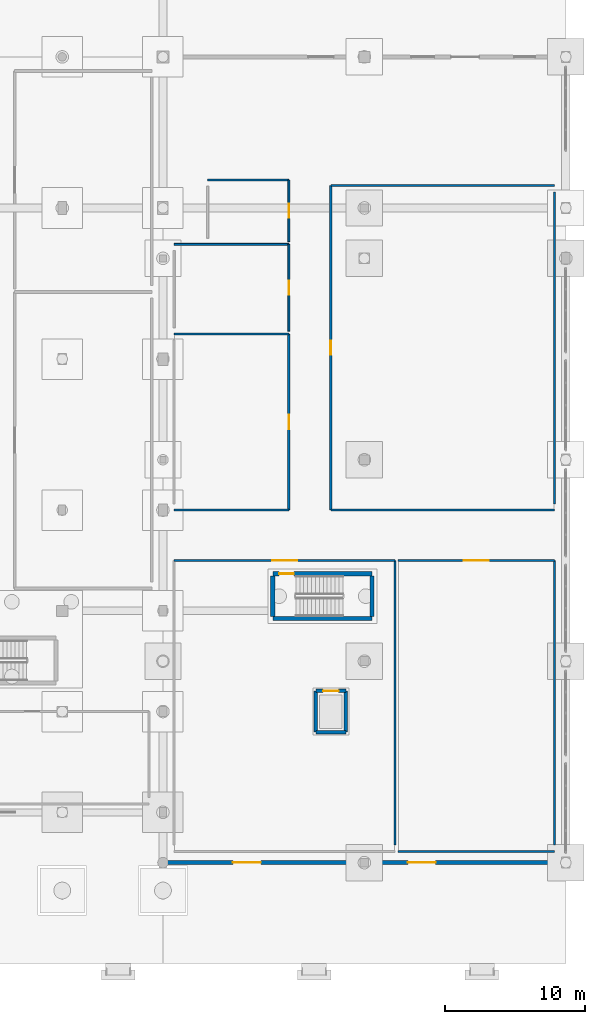
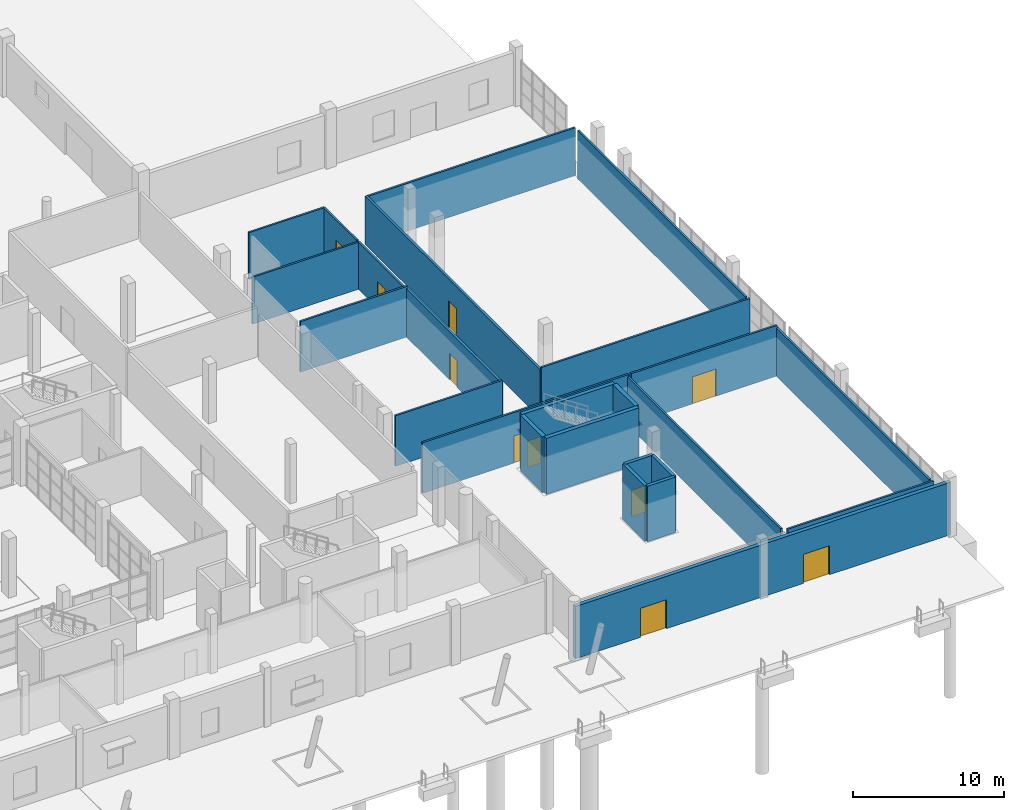
# One storey, part 258 of 285: 25 walls, 10 doors, 10 openings.
"""IFC4 building model written with IfcOpenShell, lengths in metres."""

from ifc_helpers import new_model, si_unit, direction, frame, frame_2d, origin, place, context, subcontext, project, spatial, rectangle, extrude, material, layer, layer_set, type_object, element, fill, save


model = new_model("IFC4")

# Units and contexts
model_context = context("Model", 3, precision=1e-05, world=origin(), true_north=direction((0.0, 1.0)))
body_context = subcontext(model_context, "Body", "Model", "MODEL_VIEW")
ifc_project = project(units=[si_unit("LENGTHUNIT", "METRE"), si_unit("AREAUNIT", "SQUARE_METRE"), si_unit("VOLUMEUNIT", "CUBIC_METRE"), si_unit("PLANEANGLEUNIT", "RADIAN"), si_unit("MASSUNIT", "GRAM", prefix="KILO")], contexts=[model_context])

# Site, building, storey
site_placement = place(None, origin())
site = spatial("IfcSite", under=ifc_project, at=site_placement, CompositionType="ELEMENT")
building_placement = place(site_placement, origin())
building = spatial("IfcBuilding", under=site, at=building_placement, Name="Solanera Park Tramway Depot", CompositionType="ELEMENT")
storey_placement = place(building_placement, origin())
storey = spatial("IfcBuildingStorey", under=building, at=storey_placement, Name="L00", CompositionType="ELEMENT", Elevation=0.0)

# Wall
ifc_material_1 = material(Name="Concrete N32 (C32/40)", Category="concrete")
ifc_layer_1 = layer(ifc_material_1, 0.14990234375)
ifc_layer_set_1 = layer_set([ifc_layer_1], Name="Concrete N32 (C32/40)")
wall_type_1 = type_object("IfcWallType", Name="Acoustic Partition 150", PredefinedType="PARTITIONING", material=ifc_layer_set_1)
wall_1_placement = place(storey_placement, frame((203.800048828125, 8.449951171875, 0.0), z_axis=(0.0, 0.0, 1.0), x_axis=(0.0, 1.0, 0.0)))
element("IfcWall", 1, at=wall_1_placement, inside=storey, type_object=wall_type_1, Name="Civic Parkland Reception and Ticketing Foyer Dividing Wall", PredefinedType="PARTITIONING", context=body_context, shape_type="SweptSolid", body=[
    extrude(rectangle(XDim=20.35009765625, YDim=0.14990234375, at=frame_2d((10.175048828125, 0.0))), origin(), (0.0, 0.0, 1.0), 3.92041015625),
])

# Wall, opening, door
wall_2_placement = place(storey_placement, frame((188.0, 28.800048828125, 0.0), z_axis=(0.0, 0.0, 1.0), x_axis=(1.0, 0.0, 0.0)))
wall_2 = element("IfcWall", 2, at=wall_2_placement, inside=storey, type_object=wall_type_1, Name="Civic Parkland Reception and Ticketing Foyer Corridor Wall", PredefinedType="PARTITIONING", context=body_context, shape_type="SweptSolid", body=[
    extrude(rectangle(XDim=15.800048828125, YDim=0.14990234375, at=frame_2d((7.89990234375, 0.0))), origin(), (0.0, 0.0, 1.0), 4.10009765625),
])
opening_1_placement = place(wall_2_placement, frame((7.0, 0.0, 0.0)))
opening_1 = element("IfcOpeningElement", 3, at=opening_1_placement, cuts=wall_2, Name="Opening ID-A2D", PredefinedType="OPENING", context=body_context, shape_type="SweptSolid", body=[
    extrude(rectangle(XDim=1.800048828125, YDim=2.199951171875, at=frame_2d((0.89990234375, 1.10009765625))), frame((0.0, 0.0849609375, 0.0), z_axis=(0.0, -1.0, 0.0), x_axis=(1.0, 0.0, 0.0)), (0.0, 0.0, 1.0), 0.169921875),
])
ifc_material_2 = material(Name="Fire-rated steel or solid-core hardwood door leaf", Category="steel")
door_type_1 = type_object("IfcDoorType", Name="Assembly Double Door 1800x2200", OperationType="DOUBLE_SWING_RIGHT", PredefinedType="DOOR", material=ifc_material_2)
door_1_placement = place(opening_1_placement, origin())
door_1 = element("IfcDoor", 4, at=door_1_placement, inside=storey, type_object=door_type_1, Name="Civic Parkland Reception and Ticketing Foyer Door", OperationType="DOUBLE_SWING_RIGHT", OverallHeight=2.199951171875, OverallWidth=1.800048828125, PredefinedType="DOOR", context=body_context, shape_type="SweptSolid", body=[
    extrude(rectangle(XDim=1.800048828125, YDim=2.199951171875, at=frame_2d((0.89990234375, 1.10009765625))), frame((0.0, 0.02490234375, 0.0), z_axis=(0.0, -1.0, 0.0), x_axis=(1.0, 0.0, 0.0)), (0.0, 0.0, 1.0), 0.050048828125),
])
fill(opening_1, door_1)

# Walls
wall_3_placement = place(storey_placement, frame((215.199951171875, 8.0, 0.0), z_axis=(0.0, 0.0, 1.0), x_axis=(-1.0, 0.0, 0.0)))
element("IfcWall", 5, at=wall_3_placement, inside=storey, type_object=wall_type_1, Name="Darwin Tramway Heritage Exhibition Hall Dividing Wall", PredefinedType="PARTITIONING", context=body_context, shape_type="SweptSolid", body=[
    extrude(rectangle(XDim=11.199951171875, YDim=0.14990234375, at=frame_2d((5.60009765625, 0.0))), origin(), (0.0, 0.0, 1.0), 4.10009765625),
])
wall_4_placement = place(storey_placement, frame((215.199951171875, 8.449951171875, 0.0), z_axis=(0.0, 0.0, 1.0), x_axis=(0.0, 1.0, 0.0)))
element("IfcWall", 6, at=wall_4_placement, inside=storey, type_object=wall_type_1, Name="Darwin Tramway Heritage Exhibition Hall Dividing Wall", PredefinedType="PARTITIONING", context=body_context, shape_type="SweptSolid", body=[
    extrude(rectangle(XDim=20.35009765625, YDim=0.14990234375, at=frame_2d((10.175048828125, 0.0))), origin(), (0.0, 0.0, 1.0), 3.92041015625),
])

# Wall, opening, door
wall_5_placement = place(storey_placement, frame((204.0, 28.800048828125, 0.0), z_axis=(0.0, 0.0, 1.0), x_axis=(1.0, 0.0, 0.0)))
wall_5 = element("IfcWall", 7, at=wall_5_placement, inside=storey, type_object=wall_type_1, Name="Darwin Tramway Heritage Exhibition Hall Corridor Wall", PredefinedType="PARTITIONING", context=body_context, shape_type="SweptSolid", body=[
    extrude(rectangle(XDim=11.199951171875, YDim=0.14990234375, at=frame_2d((5.60009765625, 0.0))), origin(), (0.0, 0.0, 1.0), 4.10009765625),
])
opening_2_placement = place(wall_5_placement, frame((4.699951171875, 0.0, 0.0)))
opening_2 = element("IfcOpeningElement", 8, at=opening_2_placement, cuts=wall_5, Name="Opening ID-A2D", PredefinedType="OPENING", context=body_context, shape_type="SweptSolid", body=[
    extrude(rectangle(XDim=1.800048828125, YDim=2.199951171875, at=frame_2d((0.89990234375, 1.10009765625))), frame((0.0, 0.0849609375, 0.0), z_axis=(0.0, -1.0, 0.0), x_axis=(1.0, 0.0, 0.0)), (0.0, 0.0, 1.0), 0.169921875),
])
door_2_placement = place(opening_2_placement, origin())
door_2 = element("IfcDoor", 9, at=door_2_placement, inside=storey, type_object=door_type_1, Name="Darwin Tramway Heritage Exhibition Hall Door", OperationType="DOUBLE_SWING_RIGHT", OverallHeight=2.199951171875, OverallWidth=1.800048828125, PredefinedType="DOOR", context=body_context, shape_type="SweptSolid", body=[
    extrude(rectangle(XDim=1.800048828125, YDim=2.199951171875, at=frame_2d((0.89990234375, 1.10009765625))), frame((0.0, 0.02490234375, 0.0), z_axis=(0.0, -1.0, 0.0), x_axis=(1.0, 0.0, 0.0)), (0.0, 0.0, 1.0), 0.050048828125),
])
fill(opening_2, door_2)

# Walls
wall_6_placement = place(storey_placement, frame((199.199951171875, 55.60009765625, 0.0), z_axis=(0.0, 0.0, 1.0), x_axis=(1.0, 0.0, 0.0)))
element("IfcWall", 10, at=wall_6_placement, inside=storey, type_object=wall_type_1, Name="Parkfront Loggia Cafe and Dining Room Dividing Wall", PredefinedType="PARTITIONING", context=body_context, shape_type="SweptSolid", body=[
    extrude(rectangle(XDim=16.0, YDim=0.14990234375, at=frame_2d((8.0, 0.0))), origin(), (0.0, 0.0, 1.0), 3.882080078125),
])
wall_7_placement = place(storey_placement, frame((215.199951171875, 32.39990234375, 0.0), z_axis=(0.0, 0.0, 1.0), x_axis=(-1.0, 0.0, 0.0)))
element("IfcWall", 11, at=wall_7_placement, inside=storey, type_object=wall_type_1, Name="Parkfront Loggia Cafe and Dining Room Dividing Wall", PredefinedType="PARTITIONING", context=body_context, shape_type="SweptSolid", body=[
    extrude(rectangle(XDim=16.0, YDim=0.14990234375, at=frame_2d((8.0, 0.0))), origin(), (0.0, 0.0, 1.0), 4.10009765625),
])
wall_8_placement = place(storey_placement, frame((215.199951171875, 32.85009765625, 0.0), z_axis=(0.0, 0.0, 1.0), x_axis=(0.0, 1.0, 0.0)))
element("IfcWall", 12, at=wall_8_placement, inside=storey, type_object=wall_type_1, Name="Parkfront Loggia Cafe and Dining Room Dividing Wall", PredefinedType="PARTITIONING", context=body_context, shape_type="SweptSolid", body=[
    extrude(rectangle(XDim=22.2998046875, YDim=0.14990234375, at=frame_2d((11.14990234375, 0.0))), origin(), (0.0, 0.0, 1.0), 3.92041015625),
])
for number, where, z_axis, x_axis, name in (
    (13, (188.0, 45.0, 0.0), (0.0, 0.0, 1.0), (1.0, 0.0, 0.0), "Commercial Catering Kitchen and Scullery Dividing Wall"),
    (14, (196.199951171875, 32.39990234375, 0.0), (0.0, 0.0, 1.0), (-1.0, 0.0, 0.0), "Commercial Catering Kitchen and Scullery Dividing Wall"),
):
    element("IfcWall", number, at=place(storey_placement, frame(where, z_axis=z_axis, x_axis=x_axis)), inside=storey, type_object=wall_type_1, Name=name, PredefinedType="PARTITIONING", context=body_context, shape_type="SweptSolid", body=[
        extrude(rectangle(XDim=8.199951171875, YDim=0.14990234375, at=frame_2d((4.10009765625, 0.0))), origin(), (0.0, 0.0, 1.0), 4.10009765625),
    ])

# Wall, opening, door
ifc_material_3 = material(Name="Concrete N32 (C32/40)", Category="concrete")
ifc_layer_2 = layer(ifc_material_3, 0.179931640625)
ifc_layer_set_2 = layer_set([ifc_layer_2], Name="Concrete N32 (C32/40)")
wall_type_2 = type_object("IfcWallType", Name="Cafe Separation Wall 180", PredefinedType="SOLIDWALL", material=ifc_layer_set_2)
wall_9_placement = place(storey_placement, frame((199.199951171875, 55.60009765625, 0.0), z_axis=(0.0, 0.0, 1.0), x_axis=(0.0, -1.0, 0.0)))
wall_9 = element("IfcWall", 15, at=wall_9_placement, inside=storey, type_object=wall_type_2, Name="Parkfront Loggia Cafe and Dining Room Corridor Wall", PredefinedType="SOLIDWALL", context=body_context, shape_type="SweptSolid", body=[
    extrude(rectangle(XDim=23.2001953125, YDim=0.179931640625, at=frame_2d((11.60009765625, 0.0))), origin(), (0.0, 0.0, 1.0), 3.92041015625),
])
opening_3_placement = place(wall_9_placement, frame((11.10009765625, 0.0, 0.0)))
opening_3 = element("IfcOpeningElement", 16, at=opening_3_placement, cuts=wall_9, Name="Opening FD-C1L", PredefinedType="OPENING", context=body_context, shape_type="SweptSolid", body=[
    extrude(rectangle(XDim=1.0, YDim=2.14990234375, at=frame_2d((0.5, 1.074951171875))), frame((0.0, 0.10009765625, 0.0), z_axis=(0.0, -1.0, 0.0), x_axis=(1.0, 0.0, 0.0)), (0.0, 0.0, 1.0), 0.199951171875),
])
ifc_material_4 = material(Name="Fire-rated steel or solid-core hardwood door leaf", Category="steel")
door_type_2 = type_object("IfcDoorType", Name="Compartment Fire Door L 1000x2150", OperationType="SINGLE_SWING_LEFT", PredefinedType="DOOR", material=ifc_material_4)
door_3_placement = place(opening_3_placement, origin())
door_3 = element("IfcDoor", 17, at=door_3_placement, inside=storey, type_object=door_type_2, Name="Parkfront Loggia Cafe and Dining Room Door", OperationType="SINGLE_SWING_LEFT", OverallHeight=2.14990234375, OverallWidth=1.0, PredefinedType="DOOR", context=body_context, shape_type="SweptSolid", body=[
    extrude(rectangle(XDim=1.0, YDim=2.14990234375, at=frame_2d((0.5, 1.074951171875))), frame((0.0, 0.02490234375, 0.0), z_axis=(0.0, -1.0, 0.0), x_axis=(1.0, 0.0, 0.0)), (0.0, 0.0, 1.0), 0.050048828125),
])
fill(opening_3, door_3)

wall_10_placement = place(storey_placement, frame((196.199951171875, 32.39990234375, 0.0), z_axis=(0.0, 0.0, 1.0), x_axis=(0.0, 1.0, 0.0)))
wall_10 = element("IfcWall", 18, at=wall_10_placement, inside=storey, type_object=wall_type_2, Name="Commercial Catering Kitchen and Scullery Corridor Wall", PredefinedType="SOLIDWALL", context=body_context, shape_type="SweptSolid", body=[
    extrude(rectangle(XDim=12.60009765625, YDim=0.179931640625, at=frame_2d((6.300048828125, 0.0))), origin(), (0.0, 0.0, 1.0), 3.92041015625),
])
opening_4_placement = place(wall_10_placement, frame((5.7900390625, 0.0, 0.0)))
opening_4 = element("IfcOpeningElement", 19, at=opening_4_placement, cuts=wall_10, Name="Opening FD-C1R", PredefinedType="OPENING", context=body_context, shape_type="SweptSolid", body=[
    extrude(rectangle(XDim=1.02001953125, YDim=2.14990234375, at=frame_2d((0.510009765625, 1.074951171875))), frame((0.0, 0.10009765625, 0.0), z_axis=(0.0, -1.0, 0.0), x_axis=(1.0, 0.0, 0.0)), (0.0, 0.0, 1.0), 0.199951171875),
])
ifc_material_5 = material(Name="Fire-rated steel or solid-core hardwood door leaf", Category="steel")
door_type_3 = type_object("IfcDoorType", Name="Compartment Fire Door R 1020x2150", OperationType="SINGLE_SWING_RIGHT", PredefinedType="DOOR", material=ifc_material_5)
door_4_placement = place(opening_4_placement, origin())
door_4 = element("IfcDoor", 20, at=door_4_placement, inside=storey, type_object=door_type_3, Name="Commercial Catering Kitchen and Scullery Door", OperationType="SINGLE_SWING_RIGHT", OverallHeight=2.14990234375, OverallWidth=1.02001953125, PredefinedType="DOOR", context=body_context, shape_type="SweptSolid", body=[
    extrude(rectangle(XDim=1.02001953125, YDim=2.14990234375, at=frame_2d((0.510009765625, 1.074951171875))), frame((0.0, 0.02490234375, 0.0), z_axis=(0.0, -1.0, 0.0), x_axis=(1.0, 0.0, 0.0)), (0.0, 0.0, 1.0), 0.050048828125),
])
fill(opening_4, door_4)

# Wall
ifc_material_6 = material(Name="Concrete N40 (C40/50)", Category="concrete")
ifc_layer_3 = layer(ifc_material_6, 0.300048828125)
ifc_layer_set_3 = layer_set([ifc_layer_3], Name="Concrete N40 (C40/50)")
wall_type_3 = type_object("IfcWallType", Name="Core Shear Wall 300", PredefinedType="SHEAR", material=ifc_layer_set_3)
wall_11_placement = place(storey_placement, frame((195.050048828125, 24.64990234375, 0.0), z_axis=(0.0, 0.0, 1.0), x_axis=(1.0, 0.0, 0.0)))
element("IfcWall", 21, at=wall_11_placement, inside=storey, type_object=wall_type_3, Name="ST-10 L00 Shear Core Wall S", PredefinedType="SHEAR", context=body_context, shape_type="SweptSolid", body=[
    extrude(rectangle(XDim=7.099853515625, YDim=0.300048828125, at=frame_2d((3.5498046875, 0.0))), origin(), (0.0, 0.0, 1.0), 4.550048828125),
])

# Wall, opening, door
wall_12_placement = place(storey_placement, frame((202.14990234375, 27.85009765625, 0.0), z_axis=(0.0, 0.0, 1.0), x_axis=(-1.0, 0.0, 0.0)))
wall_12 = element("IfcWall", 22, at=wall_12_placement, inside=storey, type_object=wall_type_3, Name="ST-10 L00 Shear Core Wall N", PredefinedType="SHEAR", context=body_context, shape_type="SweptSolid", body=[
    extrude(rectangle(XDim=7.099853515625, YDim=0.300048828125, at=frame_2d((3.5498046875, 0.0))), origin(), (0.0, 0.0, 1.0), 4.550048828125),
])
opening_5_placement = place(wall_12_placement, frame((5.60009765625, 0.0, 0.0)))
opening_5 = element("IfcOpeningElement", 23, at=opening_5_placement, cuts=wall_12, Name="Opening FD-S1L", PredefinedType="OPENING", context=body_context, shape_type="SweptSolid", body=[
    extrude(rectangle(XDim=1.050048828125, YDim=2.14990234375, at=frame_2d((0.52490234375, 1.074951171875))), frame((0.0, 0.16015625, 0.0), z_axis=(0.0, -1.0, 0.0), x_axis=(1.0, 0.0, 0.0)), (0.0, 0.0, 1.0), 0.320068359375),
])
ifc_material_7 = material(Name="Fire-rated steel or solid-core hardwood door leaf", Category="steel")
door_type_4 = type_object("IfcDoorType", Name="Stair Fire Door L 1050x2150", OperationType="SINGLE_SWING_LEFT", PredefinedType="DOOR", material=ifc_material_7)
door_5_placement = place(opening_5_placement, frame((1.050048828125, 0.0, 0.0), z_axis=(0.0, 0.0, 1.0), x_axis=(-1.0, 0.0, 0.0)))
door_5 = element("IfcDoor", 24, at=door_5_placement, inside=storey, type_object=door_type_4, Name="ST-10 L00 Stair Fire Door", OperationType="SINGLE_SWING_LEFT", OverallHeight=2.14990234375, OverallWidth=1.050048828125, PredefinedType="DOOR", context=body_context, shape_type="SweptSolid", body=[
    extrude(rectangle(XDim=1.050048828125, YDim=2.14990234375, at=frame_2d((0.52490234375, 1.074951171875))), frame((0.0, 0.02490234375, 0.0), z_axis=(0.0, -1.0, 0.0), x_axis=(1.0, 0.0, 0.0)), (0.0, 0.0, 1.0), 0.050048828125),
])
fill(opening_5, door_5)

# Walls
for number, where, z_axis, x_axis, name in (
    (25, (202.14990234375, 24.800048828125, 0.0), (0.0, 0.0, 1.0), (0.0, 1.0, 0.0), "ST-10 L00 Shear Core Wall E"),
    (26, (195.050048828125, 27.699951171875, 0.0), (0.0, 0.0, 1.0), (0.0, -1.0, 0.0), "ST-10 L00 Shear Core Wall W"),
):
    element("IfcWall", number, at=place(storey_placement, frame(where, z_axis=z_axis, x_axis=x_axis)), inside=storey, type_object=wall_type_3, Name=name, PredefinedType="SHEAR", context=body_context, shape_type="SweptSolid", body=[
        extrude(rectangle(XDim=2.89990234375, YDim=0.300048828125, at=frame_2d((1.449951171875, 0.0))), origin(), (0.0, 0.0, 1.0), 4.550048828125),
    ])

# Wall, openings, doors
ifc_material_8 = material(Name="Concrete N32 (C32/40)", Category="concrete")
ifc_layer_4 = layer(ifc_material_8, 0.300048828125)
ifc_layer_set_4 = layer_set([ifc_layer_4], Name="Concrete N32 (C32/40)")
wall_type_4 = type_object("IfcWallType", Name="Ext Stucco Wall 300", PredefinedType="SOLIDWALL", material=ifc_layer_set_4)
wall_13_placement = place(storey_placement, frame((187.199951171875, 7.199951171875, 0.0), z_axis=(0.0, 0.0, 1.0), x_axis=(1.0, 0.0, 0.0)))
wall_13 = element("IfcWall", 27, at=wall_13_placement, inside=storey, type_object=wall_type_4, Name="L00 Exterior Wall #041", PredefinedType="SOLIDWALL", context=body_context, shape_type="SweptSolid", body=[
    extrude(rectangle(XDim=28.800048828125, YDim=0.300048828125, at=frame_2d((14.39990234375, 0.0))), origin(), (0.0, 0.0, 1.0), 4.25),
])
opening_6_placement = place(wall_13_placement, frame((5.0, 0.0, 0.0)))
opening_6 = element("IfcOpeningElement", 28, at=opening_6_placement, cuts=wall_13, Name="Opening ED-01", PredefinedType="OPENING", context=body_context, shape_type="SweptSolid", body=[
    extrude(rectangle(XDim=2.0, YDim=2.35009765625, at=frame_2d((1.0, 1.175048828125))), frame((0.0, 0.16015625, 0.0), z_axis=(0.0, -1.0, 0.0), x_axis=(1.0, 0.0, 0.0)), (0.0, 0.0, 1.0), 0.320068359375),
])
opening_7_placement = place(wall_13_placement, frame((17.5, 0.0, 0.0)))
opening_7 = element("IfcOpeningElement", 29, at=opening_7_placement, cuts=wall_13, Name="Opening ED-01", PredefinedType="OPENING", context=body_context, shape_type="SweptSolid", body=[
    extrude(rectangle(XDim=2.0, YDim=2.35009765625, at=frame_2d((1.0, 1.175048828125))), frame((0.0, 0.16015625, 0.0), z_axis=(0.0, -1.0, 0.0), x_axis=(1.0, 0.0, 0.0)), (0.0, 0.0, 1.0), 0.320068359375),
])
ifc_material_9 = material(Name="Powder-coated aluminium and steel portal leaf", Category="steel")
door_type_5 = type_object("IfcDoorType", Name="Civic Entrance Double Door 2000x2350", OperationType="DOUBLE_SWING_LEFT", PredefinedType="DOOR", material=ifc_material_9)
door_6_placement = place(opening_6_placement, frame((2.0, 0.0, 0.0), z_axis=(0.0, 0.0, 1.0), x_axis=(-1.0, 0.0, 0.0)))
door_6 = element("IfcDoor", 30, at=door_6_placement, inside=storey, type_object=door_type_5, Name="Civic Foyer Main Entrance Door #0046", OperationType="DOUBLE_SWING_LEFT", OverallHeight=2.35009765625, OverallWidth=2.0, PredefinedType="DOOR", context=body_context, shape_type="SweptSolid", body=[
    extrude(rectangle(XDim=2.0, YDim=2.35009765625, at=frame_2d((1.0, 1.175048828125))), frame((0.0, 0.02490234375, 0.0), z_axis=(0.0, -1.0, 0.0), x_axis=(1.0, 0.0, 0.0)), (0.0, 0.0, 1.0), 0.050048828125),
])
fill(opening_6, door_6)
door_7_placement = place(opening_7_placement, frame((2.0, 0.0, 0.0), z_axis=(0.0, 0.0, 1.0), x_axis=(-1.0, 0.0, 0.0)))
door_7 = element("IfcDoor", 31, at=door_7_placement, inside=storey, type_object=door_type_5, Name="Civic Foyer Main Entrance Door #0047", OperationType="DOUBLE_SWING_LEFT", OverallHeight=2.35009765625, OverallWidth=2.0, PredefinedType="DOOR", context=body_context, shape_type="SweptSolid", body=[
    extrude(rectangle(XDim=2.0, YDim=2.35009765625, at=frame_2d((1.0, 1.175048828125))), frame((0.0, 0.02490234375, 0.0), z_axis=(0.0, -1.0, 0.0), x_axis=(1.0, 0.0, 0.0)), (0.0, 0.0, 1.0), 0.050048828125),
])
fill(opening_7, door_7)

# Wall
ifc_material_10 = material(Name="Concrete N40 (C40/50)", Category="concrete")
ifc_layer_5 = layer(ifc_material_10, 0.25)
ifc_layer_set_5 = layer_set([ifc_layer_5], Name="Concrete N40 (C40/50)")
wall_type_5 = type_object("IfcWallType", Name="Lift Shaft Shear Wall 250", PredefinedType="SHEAR", material=ifc_layer_set_5)
wall_14_placement = place(storey_placement, frame((198.125, 16.52490234375, 0.0), z_axis=(0.0, 0.0, 1.0), x_axis=(1.0, 0.0, 0.0)))
element("IfcWall", 32, at=wall_14_placement, inside=storey, type_object=wall_type_5, Name="LF-04 L00 Lift Shaft Wall S", PredefinedType="SHEAR", context=body_context, shape_type="SweptSolid", body=[
    extrude(rectangle(XDim=2.14990234375, YDim=0.25, at=frame_2d((1.074951171875, 0.0))), origin(), (0.0, 0.0, 1.0), 4.5),
])

# Wall, opening, door
wall_15_placement = place(storey_placement, frame((200.27490234375, 19.47509765625, 0.0), z_axis=(0.0, 0.0, 1.0), x_axis=(-1.0, 0.0, 0.0)))
wall_15 = element("IfcWall", 33, at=wall_15_placement, inside=storey, type_object=wall_type_5, Name="LF-04 L00 Lift Shaft Wall N", PredefinedType="SHEAR", context=body_context, shape_type="SweptSolid", body=[
    extrude(rectangle(XDim=2.14990234375, YDim=0.25, at=frame_2d((1.074951171875, 0.0))), origin(), (0.0, 0.0, 1.0), 4.5),
])
opening_8_placement = place(wall_15_placement, frame((0.52490234375, 0.0, 0.0)))
opening_8 = element("IfcOpeningElement", 34, at=opening_8_placement, cuts=wall_15, Name="Opening LD-01", PredefinedType="OPENING", context=body_context, shape_type="SweptSolid", body=[
    extrude(rectangle(XDim=1.10009765625, YDim=2.14990234375, at=frame_2d((0.550048828125, 1.074951171875))), frame((0.0, 0.135009765625, 0.0), z_axis=(0.0, -1.0, 0.0), x_axis=(1.0, 0.0, 0.0)), (0.0, 0.0, 1.0), 0.27001953125),
])
ifc_material_11 = material(Name="Fire-rated steel or solid-core hardwood door leaf", Category="steel")
door_type_6 = type_object("IfcDoorType", Name="Lift Landing Sliding Door 1100x2150", OperationType="SLIDING_TO_LEFT", PredefinedType="DOOR", material=ifc_material_11)
door_8_placement = place(opening_8_placement, origin())
door_8 = element("IfcDoor", 35, at=door_8_placement, inside=storey, type_object=door_type_6, Name="LF-04 L00 Lift Landing Sliding Door", OperationType="SLIDING_TO_LEFT", OverallHeight=2.14990234375, OverallWidth=1.10009765625, PredefinedType="DOOR", context=body_context, shape_type="SweptSolid", body=[
    extrude(rectangle(XDim=1.10009765625, YDim=2.14990234375, at=frame_2d((0.550048828125, 1.074951171875))), frame((0.0, 0.02490234375, 0.0), z_axis=(0.0, -1.0, 0.0), x_axis=(1.0, 0.0, 0.0)), (0.0, 0.0, 1.0), 0.050048828125),
])
fill(opening_8, door_8)

# Walls
for number, where, z_axis, x_axis, name in (
    (36, (198.125, 19.47509765625, 0.0), (0.0, 0.0, 1.0), (0.0, -1.0, 0.0), "LF-04 L00 Lift Shaft Wall W"),
    (37, (200.27490234375, 16.52490234375, 0.0), (0.0, 0.0, 1.0), (0.0, 1.0, 0.0), "LF-04 L00 Lift Shaft Wall E"),
):
    element("IfcWall", number, at=place(storey_placement, frame(where, z_axis=z_axis, x_axis=x_axis)), inside=storey, type_object=wall_type_5, Name=name, PredefinedType="SHEAR", context=body_context, shape_type="SweptSolid", body=[
        extrude(rectangle(XDim=2.9501953125, YDim=0.25, at=frame_2d((1.47509765625, 0.0))), origin(), (0.0, 0.0, 1.0), 4.5),
    ])
ifc_material_12 = material(Name="Concrete N32 (C32/40)", Category="concrete")
ifc_layer_6 = layer(ifc_material_12, 0.139892578125)
ifc_layer_set_6 = layer_set([ifc_layer_6], Name="Concrete N32 (C32/40)")
wall_type_6 = type_object("IfcWallType", Name="Wet Area Partition 140", PredefinedType="PARTITIONING", material=ifc_layer_set_6)
wall_16_placement = place(storey_placement, frame((188.0, 51.39990234375, 0.0), z_axis=(0.0, 0.0, 1.0), x_axis=(1.0, 0.0, 0.0)))
element("IfcWall", 38, at=wall_16_placement, inside=storey, type_object=wall_type_6, Name="Public Foyer Male and Female WC L00 Dividing Wall", PredefinedType="PARTITIONING", context=body_context, shape_type="SweptSolid", body=[
    extrude(rectangle(XDim=8.199951171875, YDim=0.139892578125, at=frame_2d((4.10009765625, 0.0))), origin(), (0.0, 0.0, 1.0), 3.800048828125),
])

# Wall, opening, door
wall_17_placement = place(storey_placement, frame((196.199951171875, 45.199951171875, 0.0), z_axis=(0.0, 0.0, 1.0), x_axis=(0.0, 1.0, 0.0)))
wall_17 = element("IfcWall", 39, at=wall_17_placement, inside=storey, type_object=wall_type_6, Name="Public Foyer Male and Female WC L00 Corridor Wall", PredefinedType="PARTITIONING", context=body_context, shape_type="SweptSolid", body=[
    extrude(rectangle(XDim=6.199951171875, YDim=0.139892578125, at=frame_2d((3.10009765625, 0.0))), origin(), (0.0, 0.0, 1.0), 3.800048828125),
])
opening_9_placement = place(wall_17_placement, frame((2.610107421875, 0.0, 0.0)))
opening_9 = element("IfcOpeningElement", 40, at=opening_9_placement, cuts=wall_17, Name="Opening ID-W1L", PredefinedType="OPENING", context=body_context, shape_type="SweptSolid", body=[
    extrude(rectangle(XDim=0.97998046875, YDim=2.14990234375, at=frame_2d((0.489990234375, 1.074951171875))), frame((0.0, 0.080078125, 0.0), z_axis=(0.0, -1.0, 0.0), x_axis=(1.0, 0.0, 0.0)), (0.0, 0.0, 1.0), 0.159912109375),
])
ifc_material_13 = material(Name="Fire-rated steel or solid-core hardwood door leaf", Category="steel")
door_type_7 = type_object("IfcDoorType", Name="Accessible WC Door L 980x2150", OperationType="SINGLE_SWING_LEFT", PredefinedType="DOOR", material=ifc_material_13)
door_9_placement = place(opening_9_placement, origin())
door_9 = element("IfcDoor", 41, at=door_9_placement, inside=storey, type_object=door_type_7, Name="Public Foyer Male and Female WC L00 Door", OperationType="SINGLE_SWING_LEFT", OverallHeight=2.14990234375, OverallWidth=0.97998046875, PredefinedType="DOOR", context=body_context, shape_type="SweptSolid", body=[
    extrude(rectangle(XDim=0.97998046875, YDim=2.14990234375, at=frame_2d((0.489990234375, 1.074951171875))), frame((0.0, 0.02490234375, 0.0), z_axis=(0.0, -1.0, 0.0), x_axis=(1.0, 0.0, 0.0)), (0.0, 0.0, 1.0), 0.050048828125),
])
fill(opening_9, door_9)

# Wall
wall_18_placement = place(storey_placement, frame((190.39990234375, 56.0, 0.0), z_axis=(0.0, 0.0, 1.0), x_axis=(1.0, 0.0, 0.0)))
element("IfcWall", 42, at=wall_18_placement, inside=storey, type_object=wall_type_6, Name="Park Foyer Accessible WC L00 Dividing Wall", PredefinedType="PARTITIONING", context=body_context, shape_type="SweptSolid", body=[
    extrude(rectangle(XDim=5.800048828125, YDim=0.139892578125, at=frame_2d((2.89990234375, 0.0))), origin(), (0.0, 0.0, 1.0), 3.800048828125),
])

# Wall, opening, door
wall_19_placement = place(storey_placement, frame((196.199951171875, 51.60009765625, 0.0), z_axis=(0.0, 0.0, 1.0), x_axis=(0.0, 1.0, 0.0)))
wall_19 = element("IfcWall", 43, at=wall_19_placement, inside=storey, type_object=wall_type_6, Name="Park Foyer Accessible WC L00 Corridor Wall", PredefinedType="PARTITIONING", context=body_context, shape_type="SweptSolid", body=[
    extrude(rectangle(XDim=4.39990234375, YDim=0.139892578125, at=frame_2d((2.199951171875, 0.0))), origin(), (0.0, 0.0, 1.0), 3.800048828125),
])
opening_10_placement = place(wall_19_placement, frame((1.705078125, 0.0, 0.0)))
opening_10 = element("IfcOpeningElement", 44, at=opening_10_placement, cuts=wall_19, Name="Opening ID-W1R", PredefinedType="OPENING", context=body_context, shape_type="SweptSolid", body=[
    extrude(rectangle(XDim=0.989990234375, YDim=2.14990234375, at=frame_2d((0.4951171875, 1.074951171875))), frame((0.0, 0.080078125, 0.0), z_axis=(0.0, -1.0, 0.0), x_axis=(1.0, 0.0, 0.0)), (0.0, 0.0, 1.0), 0.159912109375),
])
ifc_material_14 = material(Name="Fire-rated steel or solid-core hardwood door leaf", Category="steel")
door_type_8 = type_object("IfcDoorType", Name="Accessible WC Door R 990x2150", OperationType="SINGLE_SWING_RIGHT", PredefinedType="DOOR", material=ifc_material_14)
door_10_placement = place(opening_10_placement, origin())
door_10 = element("IfcDoor", 45, at=door_10_placement, inside=storey, type_object=door_type_8, Name="Park Foyer Accessible WC L00 Door", OperationType="SINGLE_SWING_RIGHT", OverallHeight=2.14990234375, OverallWidth=0.989990234375, PredefinedType="DOOR", context=body_context, shape_type="SweptSolid", body=[
    extrude(rectangle(XDim=0.989990234375, YDim=2.14990234375, at=frame_2d((0.4951171875, 1.074951171875))), frame((0.0, 0.02490234375, 0.0), z_axis=(0.0, -1.0, 0.0), x_axis=(1.0, 0.0, 0.0)), (0.0, 0.0, 1.0), 0.050048828125),
])
fill(opening_10, door_10)

save(model, "model.ifc")
